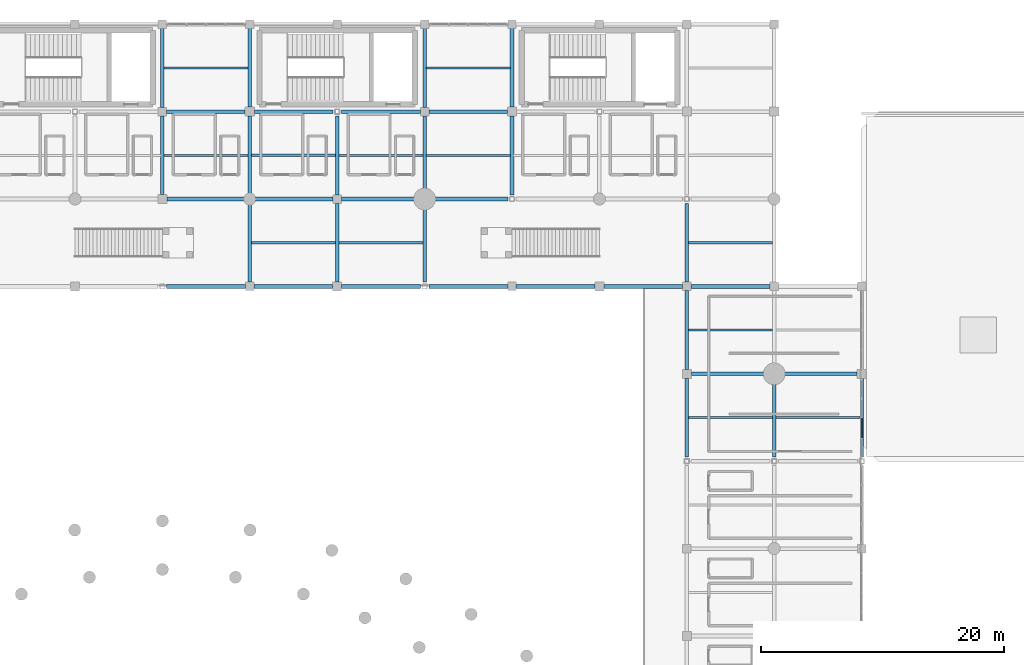
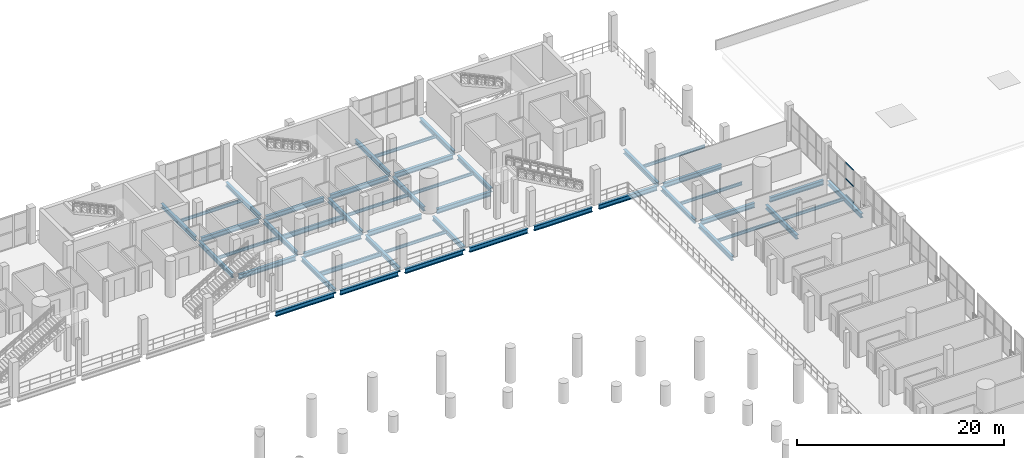
# One storey, part 66 of 130: 46 beams, 3 members, 1 element without a shape of its own.
"""IFC4 building model written with IfcOpenShell, lengths in metres."""

from ifc_helpers import new_model, si_unit, direction, frame, origin, origin_2d, place, context, subcontext, project, spatial, hollow_rectangle, i_section, extrude, material, material_profile, profile_set, type_object, element, aggregate, save


model = new_model("IFC4")

# Units and contexts
model_context = context("Model", 3, precision=1e-05, world=origin(), true_north=direction((0.0, 1.0)))
body_context = subcontext(model_context, "Body", "Model", "MODEL_VIEW")
ifc_project = project(units=[si_unit("LENGTHUNIT", "METRE"), si_unit("AREAUNIT", "SQUARE_METRE"), si_unit("VOLUMEUNIT", "CUBIC_METRE"), si_unit("PLANEANGLEUNIT", "RADIAN"), si_unit("MASSUNIT", "GRAM", prefix="KILO")], contexts=[model_context])

# Site, building, storey
site_placement = place(None, origin())
site = spatial("IfcSite", under=ifc_project, at=site_placement, CompositionType="ELEMENT")
building_placement = place(site_placement, origin())
building = spatial("IfcBuilding", under=site, at=building_placement, Name="Qandorah Velis Arena", CompositionType="ELEMENT")
storey_placement = place(building_placement, frame((0.0, 0.0, 9.60009765625)))
storey = spatial("IfcBuildingStorey", under=building, at=storey_placement, Name="L02", CompositionType="ELEMENT", Elevation=9.60009765625)

# Curtain wall, members
ifc_material_1 = material(Name="Solar-control low-E double glazing", Category="glass")
curtain_wall_type = type_object("IfcCurtainWallType", Name="ARC-CW-SYS06", PredefinedType="USERDEFINED", material=ifc_material_1)
curtain_wall_placement = place(storey_placement, origin())
curtain_wall = element("IfcCurtainWall", 1, at=curtain_wall_placement, inside=storey, type_object=curtain_wall_type, Name="Unitised curtain wall L02-174", ObjectType="UNITISED CURTAIN WALL", PredefinedType="USERDEFINED")
ifc_material_2 = material(Name="Champagne-bronze anodized aluminium 6063-T6", Category="aluminium")
ifc_material_profile_1 = material_profile(ifc_material_2, hollow_rectangle(XDim=0.06494140625, YDim=0.139892578125, WallThickness=0.0029296875, at=origin_2d()), Name="ALU TRANSOM 65x140")
ifc_profile_set_1 = profile_set([ifc_material_profile_1], Name="Champagne-bronze anodized aluminium 6063-T6")
member_type = type_object("IfcMemberType", Name="ARC-CWT-140", PredefinedType="USERDEFINED", material=ifc_profile_set_1)
member_1_placement = place(storey_placement, frame((122.39990234375, 95.54541015625, 0.032470703125), z_axis=(0.0, 1.0, 0.0), x_axis=(-1.0, 0.0, 0.0)))
member_1 = element("IfcMember", 2, at=member_1_placement, type_object=member_type, Name="CW06 transom 2.1", ObjectType="TRANSOM", PredefinedType="USERDEFINED", context=body_context, shape_type="SweptSolid", body=[
    extrude(hollow_rectangle(XDim=0.06494140625, YDim=0.139892578125, WallThickness=0.0029296875, at=origin_2d()), origin(), (0.0, 0.0, 1.0), 1.583984375),
])
member_2_placement = place(storey_placement, frame((122.39990234375, 95.54541015625, 1.93994140625), z_axis=(0.0, 1.0, 0.0), x_axis=(-1.0, 0.0, 0.0)))
member_2 = element("IfcMember", 3, at=member_2_placement, type_object=member_type, Name="CW06 transom 2.2", ObjectType="TRANSOM", PredefinedType="USERDEFINED", context=body_context, shape_type="SweptSolid", body=[
    extrude(hollow_rectangle(XDim=0.06494140625, YDim=0.139892578125, WallThickness=0.0029296875, at=origin_2d()), origin(), (0.0, 0.0, 1.0), 1.583984375),
])
member_3_placement = place(storey_placement, frame((122.39990234375, 95.54541015625, 3.847412109375), z_axis=(0.0, 1.0, 0.0), x_axis=(-1.0, 0.0, 0.0)))
member_3 = element("IfcMember", 4, at=member_3_placement, type_object=member_type, Name="CW06 transom 2.3", ObjectType="TRANSOM", PredefinedType="USERDEFINED", context=body_context, shape_type="SweptSolid", body=[
    extrude(hollow_rectangle(XDim=0.06494140625, YDim=0.139892578125, WallThickness=0.0029296875, at=origin_2d()), origin(), (0.0, 0.0, 1.0), 1.583984375),
])
aggregate(curtain_wall, [member_1, member_2, member_3])

# Beams
ifc_material_3 = material(Name="Steel S355", Category="steel")
ifc_material_profile_2 = material_profile(ifc_material_3, i_section(OverallWidth=0.300048828125, OverallDepth=0.5, WebThickness=0.014404296875, FlangeThickness=0.028076171875, FilletRadius=0.027099609375, at=origin_2d()), Name="HEB 500")
ifc_profile_set_2 = profile_set([ifc_material_profile_2], Name="Steel S355")
beam_type_1 = type_object("IfcBeamType", Name="STR-BM-HEB500", PredefinedType="BEAM", material=ifc_profile_set_2)
beam_1_placement = place(storey_placement, frame((64.800048828125, 115.574951171875, -0.530029296875), z_axis=(0.0, 1.0, 0.0), x_axis=(-1.0, 0.0, 0.0)))
element("IfcBeam", 5, at=beam_1_placement, inside=storey, type_object=beam_type_1, Name="Primary floor girder L02 Y-262", PredefinedType="BEAM", context=body_context, shape_type="SweptSolid", body=[
    extrude(i_section(OverallWidth=0.300048828125, OverallDepth=0.5, WebThickness=0.014404296875, FlangeThickness=0.028076171875, FilletRadius=0.027099609375, at=origin_2d()), origin(), (0.0, 0.0, 1.0), 6.47509765625),
])
beam_2_placement = place(storey_placement, frame((64.800048828125, 122.75, -0.530029296875), z_axis=(0.0, 1.0, 0.0), x_axis=(-1.0, 0.0, 0.0)))
element("IfcBeam", 6, at=beam_2_placement, inside=storey, type_object=beam_type_1, Name="Primary floor girder L02 Y-263", PredefinedType="BEAM", context=body_context, shape_type="SweptSolid", body=[
    extrude(i_section(OverallWidth=0.300048828125, OverallDepth=0.5, WebThickness=0.014404296875, FlangeThickness=0.028076171875, FilletRadius=0.027099609375, at=origin_2d()), origin(), (0.0, 0.0, 1.0), 6.550048828125),
])
beam_3_placement = place(storey_placement, frame((72.0, 108.35009765625, -0.530029296875), z_axis=(0.0, 1.0, 0.0), x_axis=(-1.0, 0.0, 0.0)))
element("IfcBeam", 7, at=beam_3_placement, inside=storey, type_object=beam_type_1, Name="Primary floor girder L02 Y-267", PredefinedType="BEAM", context=body_context, shape_type="SweptSolid", body=[
    extrude(i_section(OverallWidth=0.300048828125, OverallDepth=0.5, WebThickness=0.014404296875, FlangeThickness=0.028076171875, FilletRadius=0.027099609375, at=origin_2d()), origin(), (0.0, 0.0, 1.0), 6.39990234375),
])
beam_4_placement = place(storey_placement, frame((72.0, 115.64990234375, -0.530029296875), z_axis=(0.0, 1.0, 0.0), x_axis=(-1.0, 0.0, 0.0)))
element("IfcBeam", 8, at=beam_4_placement, inside=storey, type_object=beam_type_1, Name="Primary floor girder L02 Y-268", PredefinedType="BEAM", context=body_context, shape_type="SweptSolid", body=[
    extrude(i_section(OverallWidth=0.300048828125, OverallDepth=0.5, WebThickness=0.014404296875, FlangeThickness=0.028076171875, FilletRadius=0.027099609375, at=origin_2d()), origin(), (0.0, 0.0, 1.0), 6.375),
])
beam_5_placement = place(storey_placement, frame((72.0, 122.77490234375, -0.530029296875), z_axis=(0.0, 1.0, 0.0), x_axis=(-1.0, 0.0, 0.0)))
element("IfcBeam", 9, at=beam_5_placement, inside=storey, type_object=beam_type_1, Name="Primary floor girder L02 Y-269", PredefinedType="BEAM", context=body_context, shape_type="SweptSolid", body=[
    extrude(i_section(OverallWidth=0.300048828125, OverallDepth=0.5, WebThickness=0.014404296875, FlangeThickness=0.028076171875, FilletRadius=0.027099609375, at=origin_2d()), origin(), (0.0, 0.0, 1.0), 6.525146484375),
])
beam_6_placement = place(storey_placement, frame((79.199951171875, 108.375, -0.530029296875), z_axis=(0.0, 1.0, 0.0), x_axis=(-1.0, 0.0, 0.0)))
element("IfcBeam", 10, at=beam_6_placement, inside=storey, type_object=beam_type_1, Name="Primary floor girder L02 Y-272", PredefinedType="BEAM", context=body_context, shape_type="SweptSolid", body=[
    extrude(i_section(OverallWidth=0.300048828125, OverallDepth=0.5, WebThickness=0.014404296875, FlangeThickness=0.028076171875, FilletRadius=0.027099609375, at=origin_2d()), origin(), (0.0, 0.0, 1.0), 6.47509765625),
])
beam_7_placement = place(storey_placement, frame((79.199951171875, 115.550048828125, -0.530029296875), z_axis=(0.0, 1.0, 0.0), x_axis=(-1.0, 0.0, 0.0)))
element("IfcBeam", 11, at=beam_7_placement, inside=storey, type_object=beam_type_1, Name="Primary floor girder L02 Y-273", PredefinedType="BEAM", context=body_context, shape_type="SweptSolid", body=[
    extrude(i_section(OverallWidth=0.300048828125, OverallDepth=0.5, WebThickness=0.014404296875, FlangeThickness=0.028076171875, FilletRadius=0.027099609375, at=origin_2d()), origin(), (0.0, 0.0, 1.0), 6.5),
])
for number, where, z_axis, x_axis, name in (
    (12, (86.39990234375, 108.35009765625, -0.530029296875), (0.0, 1.0, 0.0), (-1.0, 0.0, 0.0), "Primary floor girder L02 Y-277"),
    (13, (86.39990234375, 116.050048828125, -0.530029296875), (0.0, 1.0, 0.0), (-1.0, 0.0, 0.0), "Primary floor girder L02 Y-278"),
):
    element("IfcBeam", number, at=place(storey_placement, frame(where, z_axis=z_axis, x_axis=x_axis)), inside=storey, type_object=beam_type_1, Name=name, PredefinedType="BEAM", context=body_context, shape_type="SweptSolid", body=[
        extrude(i_section(OverallWidth=0.300048828125, OverallDepth=0.5, WebThickness=0.014404296875, FlangeThickness=0.028076171875, FilletRadius=0.027099609375, at=origin_2d()), origin(), (0.0, 0.0, 1.0), 6.0),
    ])
beam_8_placement = place(storey_placement, frame((86.39990234375, 122.75, -0.530029296875), z_axis=(0.0, 1.0, 0.0), x_axis=(-1.0, 0.0, 0.0)))
element("IfcBeam", 14, at=beam_8_placement, inside=storey, type_object=beam_type_1, Name="Primary floor girder L02 Y-279", PredefinedType="BEAM", context=body_context, shape_type="SweptSolid", body=[
    extrude(i_section(OverallWidth=0.300048828125, OverallDepth=0.5, WebThickness=0.014404296875, FlangeThickness=0.028076171875, FilletRadius=0.027099609375, at=origin_2d()), origin(), (0.0, 0.0, 1.0), 6.550048828125),
])
beam_9_placement = place(storey_placement, frame((93.60009765625, 115.550048828125, -0.530029296875), z_axis=(0.0, 1.0, 0.0), x_axis=(-1.0, 0.0, 0.0)))
element("IfcBeam", 15, at=beam_9_placement, inside=storey, type_object=beam_type_1, Name="Primary floor girder L02 Y-282", PredefinedType="BEAM", context=body_context, shape_type="SweptSolid", body=[
    extrude(i_section(OverallWidth=0.300048828125, OverallDepth=0.5, WebThickness=0.014404296875, FlangeThickness=0.028076171875, FilletRadius=0.027099609375, at=origin_2d()), origin(), (0.0, 0.0, 1.0), 6.474853515625),
])
beam_10_placement = place(storey_placement, frame((93.60009765625, 122.77490234375, -0.530029296875), z_axis=(0.0, 1.0, 0.0), x_axis=(-1.0, 0.0, 0.0)))
element("IfcBeam", 16, at=beam_10_placement, inside=storey, type_object=beam_type_1, Name="Primary floor girder L02 Y-283", PredefinedType="BEAM", context=body_context, shape_type="SweptSolid", body=[
    extrude(i_section(OverallWidth=0.300048828125, OverallDepth=0.5, WebThickness=0.014404296875, FlangeThickness=0.028076171875, FilletRadius=0.027099609375, at=origin_2d()), origin(), (0.0, 0.0, 1.0), 6.525146484375),
])
beam_11_placement = place(storey_placement, frame((108.0, 93.949951171875, -0.530029296875), z_axis=(0.0, 1.0, 0.0), x_axis=(-1.0, 0.0, 0.0)))
element("IfcBeam", 17, at=beam_11_placement, inside=storey, type_object=beam_type_1, Name="Primary floor girder L02 Y-300", PredefinedType="BEAM", context=body_context, shape_type="SweptSolid", body=[
    extrude(i_section(OverallWidth=0.300048828125, OverallDepth=0.5, WebThickness=0.014404296875, FlangeThickness=0.028076171875, FilletRadius=0.027099609375, at=origin_2d()), origin(), (0.0, 0.0, 1.0), 6.47509765625),
])
beam_12_placement = place(storey_placement, frame((108.0, 101.175048828125, -0.530029296875), z_axis=(0.0, 1.0, 0.0), x_axis=(-1.0, 0.0, 0.0)))
element("IfcBeam", 18, at=beam_12_placement, inside=storey, type_object=beam_type_1, Name="Primary floor girder L02 Y-301", PredefinedType="BEAM", context=body_context, shape_type="SweptSolid", body=[
    extrude(i_section(OverallWidth=0.300048828125, OverallDepth=0.5, WebThickness=0.014404296875, FlangeThickness=0.028076171875, FilletRadius=0.027099609375, at=origin_2d()), origin(), (0.0, 0.0, 1.0), 6.474853515625),
])
beam_13_placement = place(storey_placement, frame((108.0, 108.35009765625, -0.530029296875), z_axis=(0.0, 1.0, 0.0), x_axis=(-1.0, 0.0, 0.0)))
element("IfcBeam", 19, at=beam_13_placement, inside=storey, type_object=beam_type_1, Name="Primary floor girder L02 Y-302", PredefinedType="BEAM", context=body_context, shape_type="SweptSolid", body=[
    extrude(i_section(OverallWidth=0.300048828125, OverallDepth=0.5, WebThickness=0.014404296875, FlangeThickness=0.028076171875, FilletRadius=0.027099609375, at=origin_2d()), origin(), (0.0, 0.0, 1.0), 6.5),
])
beam_14_placement = place(storey_placement, frame((115.199951171875, 93.949951171875, -0.530029296875), z_axis=(0.0, 1.0, 0.0), x_axis=(-1.0, 0.0, 0.0)))
element("IfcBeam", 20, at=beam_14_placement, inside=storey, type_object=beam_type_1, Name="Primary floor girder L02 Y-317", PredefinedType="BEAM", context=body_context, shape_type="SweptSolid", body=[
    extrude(i_section(OverallWidth=0.300048828125, OverallDepth=0.5, WebThickness=0.014404296875, FlangeThickness=0.028076171875, FilletRadius=0.027099609375, at=origin_2d()), origin(), (0.0, 0.0, 1.0), 6.0),
])
beam_15_placement = place(storey_placement, frame((122.39990234375, 93.949951171875, -0.530029296875), z_axis=(0.0, 1.0, 0.0), x_axis=(-1.0, 0.0, 0.0)))
element("IfcBeam", 21, at=beam_15_placement, inside=storey, type_object=beam_type_1, Name="Primary floor girder L02 Y-327", PredefinedType="BEAM", context=body_context, shape_type="SweptSolid", body=[
    extrude(i_section(OverallWidth=0.300048828125, OverallDepth=0.5, WebThickness=0.014404296875, FlangeThickness=0.028076171875, FilletRadius=0.027099609375, at=origin_2d()), origin(), (0.0, 0.0, 1.0), 6.47509765625),
])
ifc_material_profile_3 = material_profile(ifc_material_3, i_section(OverallWidth=0.300048828125, OverallDepth=0.550048828125, WebThickness=0.014892578125, FlangeThickness=0.029052734375, FilletRadius=0.027099609375, at=origin_2d()), Name="HEB 550")
ifc_profile_set_3 = profile_set([ifc_material_profile_3], Name="Steel S355")
beam_type_2 = type_object("IfcBeamType", Name="STR-BM-HEB550", PredefinedType="BEAM", material=ifc_profile_set_3)
beam_16_placement = place(storey_placement, frame((108.375, 100.800048828125, -0.55517578125), z_axis=(1.0, 0.0, 0.0), x_axis=(0.0, 1.0, 0.0)))
element("IfcBeam", 22, at=beam_16_placement, inside=storey, type_object=beam_type_2, Name="Primary floor girder L02 X-125", PredefinedType="BEAM", context=body_context, shape_type="SweptSolid", body=[
    extrude(i_section(OverallWidth=0.300048828125, OverallDepth=0.550048828125, WebThickness=0.014892578125, FlangeThickness=0.029052734375, FilletRadius=0.027099609375, at=origin_2d()), origin(), (0.0, 0.0, 1.0), 5.97509765625),
])
beam_17_placement = place(storey_placement, frame((116.050048828125, 100.800048828125, -0.55517578125), z_axis=(1.0, 0.0, 0.0), x_axis=(0.0, 1.0, 0.0)))
element("IfcBeam", 23, at=beam_17_placement, inside=storey, type_object=beam_type_2, Name="Primary floor girder L02 X-126", PredefinedType="BEAM", context=body_context, shape_type="SweptSolid", body=[
    extrude(i_section(OverallWidth=0.300048828125, OverallDepth=0.550048828125, WebThickness=0.014892578125, FlangeThickness=0.029052734375, FilletRadius=0.027099609375, at=origin_2d()), origin(), (0.0, 0.0, 1.0), 5.974853515625),
])
beam_18_placement = place(storey_placement, frame((65.14990234375, 108.0, -0.55517578125), z_axis=(1.0, 0.0, 0.0), x_axis=(0.0, 1.0, 0.0)))
element("IfcBeam", 24, at=beam_18_placement, inside=storey, type_object=beam_type_2, Name="Primary floor girder L02 X-136", PredefinedType="BEAM", context=body_context, shape_type="SweptSolid", body=[
    extrude(i_section(OverallWidth=0.300048828125, OverallDepth=0.550048828125, WebThickness=0.014892578125, FlangeThickness=0.029052734375, FilletRadius=0.027099609375, at=origin_2d()), origin(), (0.0, 0.0, 1.0), 6.5),
])
beam_19_placement = place(storey_placement, frame((72.35009765625, 108.0, -0.55517578125), z_axis=(1.0, 0.0, 0.0), x_axis=(0.0, 1.0, 0.0)))
element("IfcBeam", 25, at=beam_19_placement, inside=storey, type_object=beam_type_2, Name="Primary floor girder L02 X-137", PredefinedType="BEAM", context=body_context, shape_type="SweptSolid", body=[
    extrude(i_section(OverallWidth=0.300048828125, OverallDepth=0.550048828125, WebThickness=0.014892578125, FlangeThickness=0.029052734375, FilletRadius=0.027099609375, at=origin_2d()), origin(), (0.0, 0.0, 1.0), 6.474853515625),
])
beam_20_placement = place(storey_placement, frame((79.574951171875, 108.0, -0.55517578125), z_axis=(1.0, 0.0, 0.0), x_axis=(0.0, 1.0, 0.0)))
element("IfcBeam", 26, at=beam_20_placement, inside=storey, type_object=beam_type_2, Name="Primary floor girder L02 X-138", PredefinedType="BEAM", context=body_context, shape_type="SweptSolid", body=[
    extrude(i_section(OverallWidth=0.300048828125, OverallDepth=0.550048828125, WebThickness=0.014892578125, FlangeThickness=0.029052734375, FilletRadius=0.027099609375, at=origin_2d()), origin(), (0.0, 0.0, 1.0), 6.47509765625),
])
beam_21_placement = place(storey_placement, frame((86.75, 108.0, -0.55517578125), z_axis=(1.0, 0.0, 0.0), x_axis=(0.0, 1.0, 0.0)))
element("IfcBeam", 27, at=beam_21_placement, inside=storey, type_object=beam_type_2, Name="Primary floor girder L02 X-139", PredefinedType="BEAM", context=body_context, shape_type="SweptSolid", body=[
    extrude(i_section(OverallWidth=0.300048828125, OverallDepth=0.550048828125, WebThickness=0.014892578125, FlangeThickness=0.029052734375, FilletRadius=0.027099609375, at=origin_2d()), origin(), (0.0, 0.0, 1.0), 6.5),
])
beam_22_placement = place(storey_placement, frame((93.949951171875, 108.0, -0.55517578125), z_axis=(1.0, 0.0, 0.0), x_axis=(0.0, 1.0, 0.0)))
element("IfcBeam", 28, at=beam_22_placement, inside=storey, type_object=beam_type_2, Name="Primary floor girder L02 X-140", PredefinedType="BEAM", context=body_context, shape_type="SweptSolid", body=[
    extrude(i_section(OverallWidth=0.300048828125, OverallDepth=0.550048828125, WebThickness=0.014892578125, FlangeThickness=0.029052734375, FilletRadius=0.027099609375, at=origin_2d()), origin(), (0.0, 0.0, 1.0), 6.47509765625),
])
beam_23_placement = place(storey_placement, frame((101.175048828125, 108.0, -0.55517578125), z_axis=(1.0, 0.0, 0.0), x_axis=(0.0, 1.0, 0.0)))
element("IfcBeam", 29, at=beam_23_placement, inside=storey, type_object=beam_type_2, Name="Primary floor girder L02 X-141", PredefinedType="BEAM", context=body_context, shape_type="SweptSolid", body=[
    extrude(i_section(OverallWidth=0.300048828125, OverallDepth=0.550048828125, WebThickness=0.014892578125, FlangeThickness=0.029052734375, FilletRadius=0.027099609375, at=origin_2d()), origin(), (0.0, 0.0, 1.0), 6.474853515625),
])
beam_24_placement = place(storey_placement, frame((108.35009765625, 108.0, -0.55517578125), z_axis=(1.0, 0.0, 0.0), x_axis=(0.0, 1.0, 0.0)))
element("IfcBeam", 30, at=beam_24_placement, inside=storey, type_object=beam_type_2, Name="Primary floor girder L02 X-142", PredefinedType="BEAM", context=body_context, shape_type="SweptSolid", body=[
    extrude(i_section(OverallWidth=0.300048828125, OverallDepth=0.550048828125, WebThickness=0.014892578125, FlangeThickness=0.029052734375, FilletRadius=0.027099609375, at=origin_2d()), origin(), (0.0, 0.0, 1.0), 6.5),
])
beam_25_placement = place(storey_placement, frame((65.175048828125, 115.199951171875, -0.55517578125), z_axis=(1.0, 0.0, 0.0), x_axis=(0.0, 1.0, 0.0)))
element("IfcBeam", 31, at=beam_25_placement, inside=storey, type_object=beam_type_2, Name="Primary floor girder L02 X-153", PredefinedType="BEAM", context=body_context, shape_type="SweptSolid", body=[
    extrude(i_section(OverallWidth=0.300048828125, OverallDepth=0.550048828125, WebThickness=0.014892578125, FlangeThickness=0.029052734375, FilletRadius=0.027099609375, at=origin_2d()), origin(), (0.0, 0.0, 1.0), 6.375),
])
beam_26_placement = place(storey_placement, frame((72.449951171875, 115.199951171875, -0.55517578125), z_axis=(1.0, 0.0, 0.0), x_axis=(0.0, 1.0, 0.0)))
element("IfcBeam", 32, at=beam_26_placement, inside=storey, type_object=beam_type_2, Name="Primary floor girder L02 X-154", PredefinedType="BEAM", context=body_context, shape_type="SweptSolid", body=[
    extrude(i_section(OverallWidth=0.300048828125, OverallDepth=0.550048828125, WebThickness=0.014892578125, FlangeThickness=0.029052734375, FilletRadius=0.027099609375, at=origin_2d()), origin(), (0.0, 0.0, 1.0), 6.400146484375),
])
for number, where, z_axis, x_axis, name in (
    (33, (79.550048828125, 115.199951171875, -0.55517578125), (1.0, 0.0, 0.0), (0.0, 1.0, 0.0), "Primary floor girder L02 X-155"),
    (34, (87.25, 115.199951171875, -0.55517578125), (1.0, 0.0, 0.0), (0.0, 1.0, 0.0), "Primary floor girder L02 X-156"),
):
    element("IfcBeam", number, at=place(storey_placement, frame(where, z_axis=z_axis, x_axis=x_axis)), inside=storey, type_object=beam_type_2, Name=name, PredefinedType="BEAM", context=body_context, shape_type="SweptSolid", body=[
        extrude(i_section(OverallWidth=0.300048828125, OverallDepth=0.550048828125, WebThickness=0.014892578125, FlangeThickness=0.029052734375, FilletRadius=0.027099609375, at=origin_2d()), origin(), (0.0, 0.0, 1.0), 6.0),
    ])
for number, where, z_axis, x_axis, name in (
    (35, (65.14990234375, 122.39990234375, -0.55517578125), (1.0, 0.0, 0.0), (0.0, 1.0, 0.0), "Primary floor girder L02 X-165"),
    (36, (72.375, 122.39990234375, -0.55517578125), (1.0, 0.0, 0.0), (0.0, 1.0, 0.0), "Primary floor girder L02 X-166"),
):
    element("IfcBeam", number, at=place(storey_placement, frame(where, z_axis=z_axis, x_axis=x_axis)), inside=storey, type_object=beam_type_2, Name=name, PredefinedType="BEAM", context=body_context, shape_type="SweptSolid", body=[
        extrude(i_section(OverallWidth=0.300048828125, OverallDepth=0.550048828125, WebThickness=0.014892578125, FlangeThickness=0.029052734375, FilletRadius=0.027099609375, at=origin_2d()), origin(), (0.0, 0.0, 1.0), 6.47509765625),
    ])
beam_27_placement = place(storey_placement, frame((79.550048828125, 122.39990234375, -0.55517578125), z_axis=(1.0, 0.0, 0.0), x_axis=(0.0, 1.0, 0.0)))
element("IfcBeam", 37, at=beam_27_placement, inside=storey, type_object=beam_type_2, Name="Primary floor girder L02 X-167", PredefinedType="BEAM", context=body_context, shape_type="SweptSolid", body=[
    extrude(i_section(OverallWidth=0.300048828125, OverallDepth=0.550048828125, WebThickness=0.014892578125, FlangeThickness=0.029052734375, FilletRadius=0.027099609375, at=origin_2d()), origin(), (0.0, 0.0, 1.0), 6.5),
])
beam_28_placement = place(storey_placement, frame((86.75, 122.39990234375, -0.55517578125), z_axis=(1.0, 0.0, 0.0), x_axis=(0.0, 1.0, 0.0)))
element("IfcBeam", 38, at=beam_28_placement, inside=storey, type_object=beam_type_2, Name="Primary floor girder L02 X-168", PredefinedType="BEAM", context=body_context, shape_type="SweptSolid", body=[
    extrude(i_section(OverallWidth=0.300048828125, OverallDepth=0.550048828125, WebThickness=0.014892578125, FlangeThickness=0.029052734375, FilletRadius=0.027099609375, at=origin_2d()), origin(), (0.0, 0.0, 1.0), 6.47509765625),
])
ifc_material_profile_4 = material_profile(ifc_material_3, i_section(OverallWidth=0.169921875, OverallDepth=0.360107421875, WebThickness=0.008056640625, FlangeThickness=0.0126953125, FilletRadius=0.01806640625, at=origin_2d()), Name="IPE 360")
ifc_profile_set_4 = profile_set([ifc_material_profile_4], Name="Steel S355")
beam_type_3 = type_object("IfcBeamType", Name="STR-JST-IPE360", PredefinedType="JOIST", material=ifc_profile_set_4)
for number, where, z_axis, x_axis, name in (
    (39, (64.93505859375, 118.800048828125, -0.460205078125), (1.0, 0.0, 0.0), (0.0, 1.0, 0.0), "Secondary floor joist L02-053"),
    (40, (64.93505859375, 126.0, -0.460205078125), (1.0, 0.0, 0.0), (0.0, 1.0, 0.0), "Secondary floor joist L02-054"),
    (41, (79.3349609375, 111.60009765625, -0.460205078125), (1.0, 0.0, 0.0), (0.0, 1.0, 0.0), "Secondary floor joist L02-061"),
    (42, (79.3349609375, 118.800048828125, -0.460205078125), (1.0, 0.0, 0.0), (0.0, 1.0, 0.0), "Secondary floor joist L02-062"),
):
    element("IfcBeam", number, at=place(storey_placement, frame(where, z_axis=z_axis, x_axis=x_axis)), inside=storey, type_object=beam_type_3, Name=name, PredefinedType="JOIST", context=body_context, shape_type="SweptSolid", body=[
        extrude(i_section(OverallWidth=0.169921875, OverallDepth=0.360107421875, WebThickness=0.008056640625, FlangeThickness=0.0126953125, FilletRadius=0.01806640625, at=origin_2d()), origin(), (0.0, 0.0, 1.0), 6.929931640625),
    ])
for number, where, z_axis, x_axis, name in (
    (43, (86.534912109375, 118.800048828125, -0.460205078125), (1.0, 0.0, 0.0), (0.0, 1.0, 0.0), "Secondary floor joist L02-065"),
    (44, (86.534912109375, 126.0, -0.460205078125), (1.0, 0.0, 0.0), (0.0, 1.0, 0.0), "Secondary floor joist L02-066"),
):
    element("IfcBeam", number, at=place(storey_placement, frame(where, z_axis=z_axis, x_axis=x_axis)), inside=storey, type_object=beam_type_3, Name=name, PredefinedType="JOIST", context=body_context, shape_type="SweptSolid", body=[
        extrude(i_section(OverallWidth=0.169921875, OverallDepth=0.360107421875, WebThickness=0.008056640625, FlangeThickness=0.0126953125, FilletRadius=0.01806640625, at=origin_2d()), origin(), (0.0, 0.0, 1.0), 6.93017578125),
    ])
for number, where, z_axis, x_axis, name in (
    (45, (108.135009765625, 97.199951171875, -0.460205078125), (1.0, 0.0, 0.0), (0.0, 1.0, 0.0), "Secondary floor joist L02-084"),
    (46, (108.135009765625, 104.39990234375, -0.460205078125), (1.0, 0.0, 0.0), (0.0, 1.0, 0.0), "Secondary floor joist L02-085"),
    (47, (108.135009765625, 111.60009765625, -0.460205078125), (1.0, 0.0, 0.0), (0.0, 1.0, 0.0), "Secondary floor joist L02-086"),
    (48, (115.3349609375, 97.199951171875, -0.460205078125), (1.0, 0.0, 0.0), (0.0, 1.0, 0.0), "Secondary floor joist L02-092"),
):
    element("IfcBeam", number, at=place(storey_placement, frame(where, z_axis=z_axis, x_axis=x_axis)), inside=storey, type_object=beam_type_3, Name=name, PredefinedType="JOIST", context=body_context, shape_type="SweptSolid", body=[
        extrude(i_section(OverallWidth=0.169921875, OverallDepth=0.360107421875, WebThickness=0.008056640625, FlangeThickness=0.0126953125, FilletRadius=0.01806640625, at=origin_2d()), origin(), (0.0, 0.0, 1.0), 6.929931640625),
    ])
ifc_material_profile_5 = material_profile(ifc_material_3, i_section(OverallWidth=0.199951171875, OverallDepth=0.5, WebThickness=0.01025390625, FlangeThickness=0.01611328125, FilletRadius=0.02099609375, at=origin_2d()), Name="IPE 500")
ifc_profile_set_5 = profile_set([ifc_material_profile_5], Name="Steel S355")
beam_type_4 = type_object("IfcBeamType", Name="STR-JST-IPE500", PredefinedType="JOIST", material=ifc_profile_set_5)
beam_29_placement = place(storey_placement, frame((72.135009765625, 111.60009765625, -0.530029296875), z_axis=(1.0, 0.0, 0.0), x_axis=(0.0, 1.0, 0.0)))
element("IfcBeam", 49, at=beam_29_placement, inside=storey, type_object=beam_type_4, Name="Secondary floor joist L02-057", PredefinedType="JOIST", context=body_context, shape_type="SweptSolid", body=[
    extrude(i_section(OverallWidth=0.199951171875, OverallDepth=0.5, WebThickness=0.01025390625, FlangeThickness=0.01611328125, FilletRadius=0.02099609375, at=origin_2d()), origin(), (0.0, 0.0, 1.0), 6.929931640625),
])
ifc_material_profile_6 = material_profile(ifc_material_3, i_section(OverallWidth=0.2099609375, OverallDepth=0.550048828125, WebThickness=0.010986328125, FlangeThickness=0.01708984375, FilletRadius=0.02392578125, at=origin_2d()), Name="IPE 550")
ifc_profile_set_6 = profile_set([ifc_material_profile_6], Name="Steel S355")
beam_type_5 = type_object("IfcBeamType", Name="STR-JST-IPE550", PredefinedType="JOIST", material=ifc_profile_set_6)
beam_30_placement = place(storey_placement, frame((72.135009765625, 118.800048828125, -0.55517578125), z_axis=(1.0, 0.0, 0.0), x_axis=(0.0, 1.0, 0.0)))
element("IfcBeam", 50, at=beam_30_placement, inside=storey, type_object=beam_type_5, Name="Secondary floor joist L02-058", PredefinedType="JOIST", context=body_context, shape_type="SweptSolid", body=[
    extrude(i_section(OverallWidth=0.2099609375, OverallDepth=0.550048828125, WebThickness=0.010986328125, FlangeThickness=0.01708984375, FilletRadius=0.02392578125, at=origin_2d()), origin(), (0.0, 0.0, 1.0), 6.929931640625),
])

save(model, "model.ifc")
